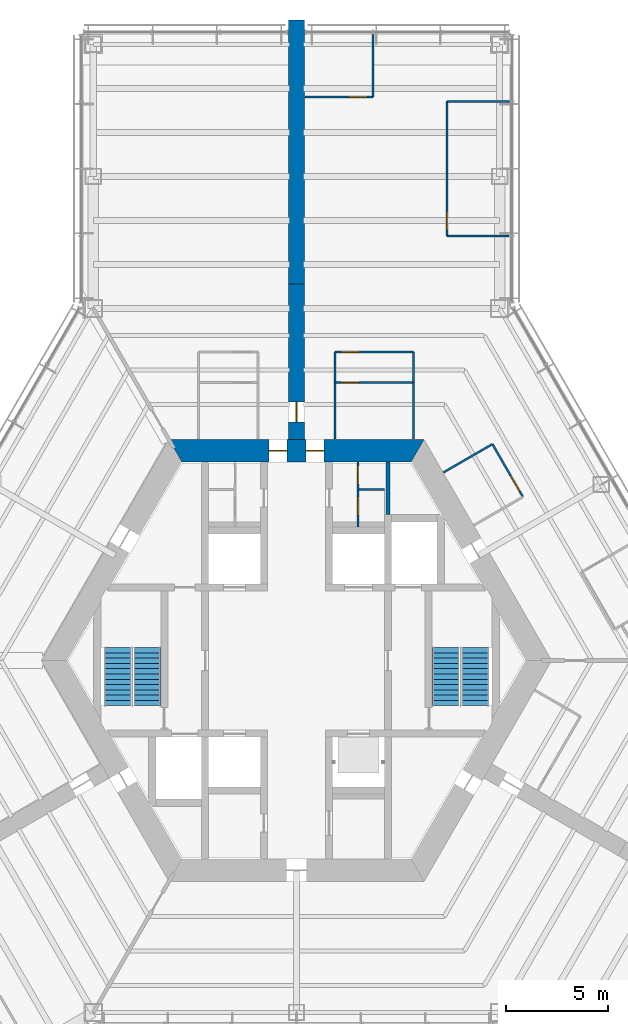
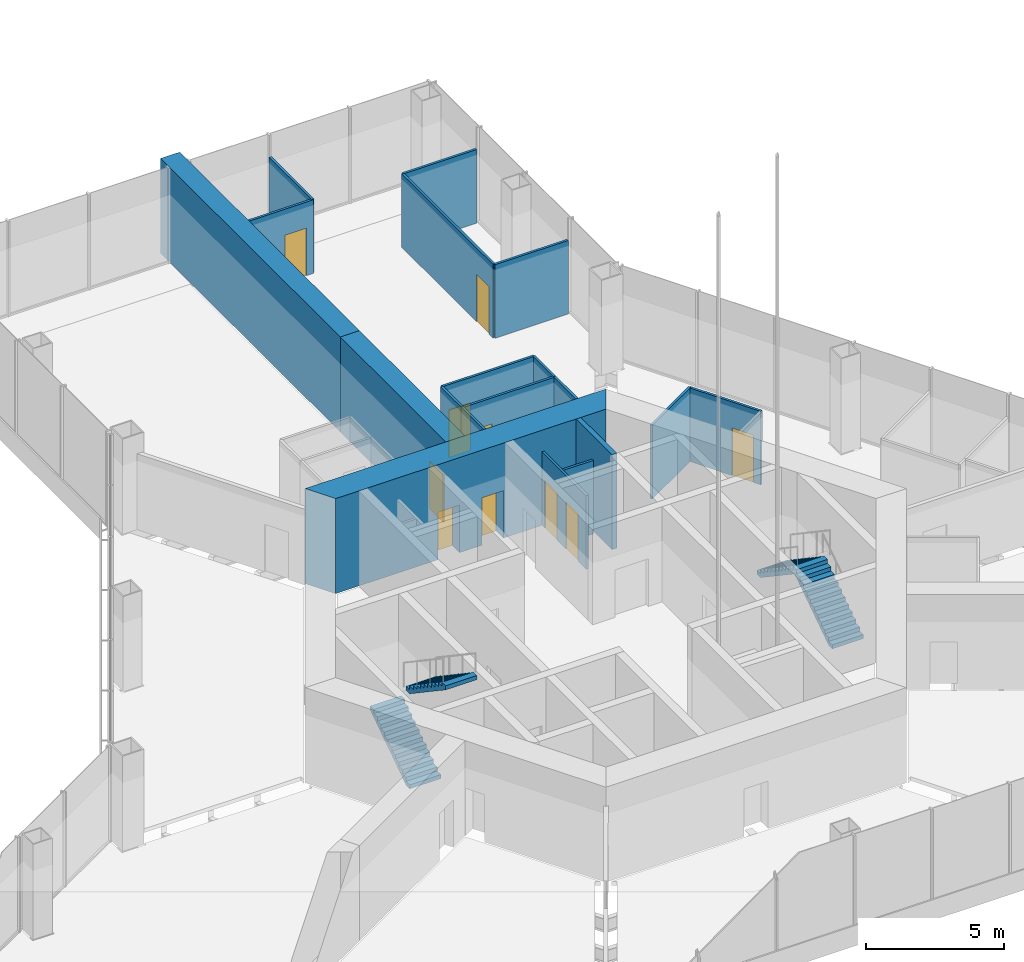
# One storey, part 13 of 18: 19 walls, 10 doors, 4 stair flights, 10 openings, 2 elements without a shape of their own.
"""IFC4 building model written with IfcOpenShell, lengths in metres."""

from ifc_helpers import new_model, si_unit, direction, frame, frame_2d, origin, place, context, subcontext, project, spatial, polyline, rectangle, outline, extrude, material, layer, layer_set, type_object, element, fill, aggregate, save


model = new_model("IFC4")

# Units and contexts
model_context = context("Model", 3, precision=1e-05, world=origin(), true_north=direction((0.0, 1.0)))
body_context = subcontext(model_context, "Body", "Model", "MODEL_VIEW")
ifc_project = project(units=[si_unit("LENGTHUNIT", "METRE"), si_unit("AREAUNIT", "SQUARE_METRE"), si_unit("VOLUMEUNIT", "CUBIC_METRE"), si_unit("PLANEANGLEUNIT", "RADIAN"), si_unit("MASSUNIT", "GRAM", prefix="KILO")], contexts=[model_context])

# Site, building, storey
site_placement = place(None, origin())
site = spatial("IfcSite", under=ifc_project, at=site_placement, CompositionType="ELEMENT")
building_placement = place(site_placement, origin())
building = spatial("IfcBuilding", under=site, at=building_placement, Name="Kasaneha Research Tower", CompositionType="ELEMENT")
storey_placement = place(building_placement, frame((0.0, 0.0, 57.0)))
storey = spatial("IfcBuildingStorey", under=building, at=storey_placement, Name="L14", CompositionType="ELEMENT", Elevation=57.0)

# Wall, openings, doors
ifc_material_1 = material(Name="Concrete Fc80", Category="concrete")
ifc_layer_1 = layer(ifc_material_1, 1.10009765625)
ifc_layer_set_1 = layer_set([ifc_layer_1], Name="Core wall 1100 Fc80")
wall_type_1 = type_object("IfcWallType", Name="Core wall 1100 Fc80", PredefinedType="SHEAR", material=ifc_layer_set_1)
wall_1_placement = place(storey_placement, frame((5.961181640625, 10.324951171875, 0.0), z_axis=(0.0, 0.0, 1.0), x_axis=(-1.0, 0.0, 0.0)))
wall_1 = element("IfcWall", 1, at=wall_1_placement, inside=storey, type_object=wall_type_1, Name="Core wall 090 L14", PredefinedType="SHEAR", context=body_context, shape_type="SweptSolid", body=[
    extrude(outline(polyline([(-0.317626953125, -0.550048828125), (4.5986328125, -0.550048828125), (5.49853515625, -0.550048828125), (6.423583984375, -0.550048828125), (7.323486328125, -0.550048828125), (12.239990234375, -0.550048828125), (11.604736328125, 0.550048828125), (7.323486328125, 0.550048828125), (6.423583984375, 0.550048828125), (5.49853515625, 0.550048828125), (4.5986328125, 0.550048828125), (0.317626953125, 0.550048828125), (-0.317626953125, -0.550048828125)])), origin(), (0.0, 0.0, 1.0), 4.199951171875),
])
opening_1_placement = place(wall_1_placement, frame((6.423583984375, 0.0, 0.0)))
opening_1 = element("IfcOpeningElement", 2, at=opening_1_placement, cuts=wall_1, Name="Opening L14-D01", PredefinedType="OPENING", context=body_context, shape_type="SweptSolid", body=[
    extrude(rectangle(XDim=0.89990234375, YDim=2.10009765625, at=frame_2d((0.449951171875, 1.050048828125))), frame((0.0, 0.56005859375, 0.0), z_axis=(0.0, -1.0, 0.0), x_axis=(1.0, 0.0, 0.0)), (0.0, 0.0, 1.0), 1.1201171875),
])
opening_2_placement = place(wall_1_placement, frame((4.5986328125, 0.0, 0.0)))
opening_2 = element("IfcOpeningElement", 3, at=opening_2_placement, cuts=wall_1, Name="Opening L14-D02", PredefinedType="OPENING", context=body_context, shape_type="SweptSolid", body=[
    extrude(rectangle(XDim=0.89990234375, YDim=2.10009765625, at=frame_2d((0.449951171875, 1.050048828125))), frame((0.0, 0.56005859375, 0.0), z_axis=(0.0, -1.0, 0.0), x_axis=(1.0, 0.0, 0.0)), (0.0, 0.0, 1.0), 1.1201171875),
])
ifc_material_2 = material(Name="Steel", Category="steel")
door_type_1 = type_object("IfcDoorType", Name="Toilet door FD20 900x2100", OperationType="NOTDEFINED", PredefinedType="DOOR", material=ifc_material_2)
door_1_placement = place(opening_1_placement, origin())
door_1 = element("IfcDoor", 4, at=door_1_placement, inside=storey, type_object=door_type_1, Name="Core door north 1 L14-D01", OperationType="SINGLE_SWING_RIGHT", OverallHeight=2.10009765625, OverallWidth=0.89990234375, PredefinedType="DOOR", context=body_context, shape_type="SweptSolid", body=[
    extrude(rectangle(XDim=0.89990234375, YDim=2.10009765625, at=frame_2d((0.449951171875, 1.050048828125))), frame((0.0, 0.02490234375, 0.0), z_axis=(0.0, -1.0, 0.0), x_axis=(1.0, 0.0, 0.0)), (0.0, 0.0, 1.0), 0.050048828125),
])
fill(opening_1, door_1)
door_2_placement = place(opening_2_placement, origin())
door_2 = element("IfcDoor", 5, at=door_2_placement, inside=storey, type_object=door_type_1, Name="Core door north 2 L14-D02", OperationType="SINGLE_SWING_LEFT", OverallHeight=2.10009765625, OverallWidth=0.89990234375, PredefinedType="DOOR", context=body_context, shape_type="SweptSolid", body=[
    extrude(rectangle(XDim=0.89990234375, YDim=2.10009765625, at=frame_2d((0.449951171875, 1.050048828125))), frame((0.0, 0.02490234375, 0.0), z_axis=(0.0, -1.0, 0.0), x_axis=(1.0, 0.0, 0.0)), (0.0, 0.0, 1.0), 0.050048828125),
])
fill(opening_2, door_2)

ifc_material_3 = material(Name="Gypsum board on steel studs, one layer each side", Category="steel")
ifc_layer_2 = layer(ifc_material_3, 0.10009765625)
ifc_layer_set_2 = layer_set([ifc_layer_2], Name="Office partition 100")
wall_type_2 = type_object("IfcWallType", Name="Office partition 100", PredefinedType="PARTITIONING", material=ifc_layer_set_2)
wall_2_placement = place(storey_placement, frame((3.02490234375, 6.574951171875, 0.0), z_axis=(0.0, 0.0, 1.0), x_axis=(0.0, 1.0, 0.0)))
wall_2 = element("IfcWall", 6, at=wall_2_placement, inside=storey, type_object=wall_type_2, Name="Office partition TBF1 L14", PredefinedType="PARTITIONING", context=body_context, shape_type="SweptSolid", body=[
    extrude(rectangle(XDim=3.199951171875, YDim=0.10009765625, at=frame_2d((1.60009765625, 0.0))), origin(), (0.0, 0.0, 1.0), 3.25),
])
opening_3_placement = place(wall_2_placement, frame((0.574951171875, 0.0, 0.0)))
opening_3 = element("IfcOpeningElement", 7, at=opening_3_placement, cuts=wall_2, Name="Opening L14-D22", PredefinedType="OPENING", context=body_context, shape_type="SweptSolid", body=[
    extrude(rectangle(XDim=0.89990234375, YDim=2.10009765625, at=frame_2d((0.449951171875, 1.050048828125))), frame((0.0, 0.06005859375, 0.0), z_axis=(0.0, -1.0, 0.0), x_axis=(1.0, 0.0, 0.0)), (0.0, 0.0, 1.0), 0.1201171875),
])
opening_4_placement = place(wall_2_placement, frame((2.10009765625, 0.0, 0.0)))
opening_4 = element("IfcOpeningElement", 8, at=opening_4_placement, cuts=wall_2, Name="Opening L14-D23", PredefinedType="OPENING", context=body_context, shape_type="SweptSolid", body=[
    extrude(rectangle(XDim=0.89990234375, YDim=2.10009765625, at=frame_2d((0.449951171875, 1.050048828125))), frame((0.0, 0.06005859375, 0.0), z_axis=(0.0, -1.0, 0.0), x_axis=(1.0, 0.0, 0.0)), (0.0, 0.0, 1.0), 0.1201171875),
])
ifc_material_4 = material(Name="Steel", Category="steel")
door_type_2 = type_object("IfcDoorType", Name="Toilet lobby door FD30 900x2100", OperationType="NOTDEFINED", PredefinedType="DOOR", material=ifc_material_4)
door_3_placement = place(opening_3_placement, origin())
door_3 = element("IfcDoor", 9, at=door_3_placement, inside=storey, type_object=door_type_2, Name="Women's WC door L14-D22", OperationType="SINGLE_SWING_RIGHT", OverallHeight=2.10009765625, OverallWidth=0.89990234375, PredefinedType="DOOR", context=body_context, shape_type="SweptSolid", body=[
    extrude(rectangle(XDim=0.89990234375, YDim=2.10009765625, at=frame_2d((0.449951171875, 1.050048828125))), frame((0.0, 0.02490234375, 0.0), z_axis=(0.0, -1.0, 0.0), x_axis=(1.0, 0.0, 0.0)), (0.0, 0.0, 1.0), 0.050048828125),
])
fill(opening_3, door_3)
door_4_placement = place(opening_4_placement, origin())
door_4 = element("IfcDoor", 10, at=door_4_placement, inside=storey, type_object=door_type_2, Name="Parents' room door L14-D23", OperationType="SINGLE_SWING_RIGHT", OverallHeight=2.10009765625, OverallWidth=0.89990234375, PredefinedType="DOOR", context=body_context, shape_type="SweptSolid", body=[
    extrude(rectangle(XDim=0.89990234375, YDim=2.10009765625, at=frame_2d((0.449951171875, 1.050048828125))), frame((0.0, 0.02490234375, 0.0), z_axis=(0.0, -1.0, 0.0), x_axis=(1.0, 0.0, 0.0)), (0.0, 0.0, 1.0), 0.050048828125),
])
fill(opening_4, door_4)

# Wall
wall_3_placement = place(storey_placement, frame((3.074951171875, 8.425048828125, 0.0), z_axis=(0.0, 0.0, 1.0), x_axis=(1.0, 0.0, 0.0)))
element("IfcWall", 11, at=wall_3_placement, inside=storey, type_object=wall_type_2, Name="Office partition TBF2 L14", PredefinedType="PARTITIONING", context=body_context, shape_type="SweptSolid", body=[
    extrude(rectangle(XDim=1.25, YDim=0.10009765625, at=frame_2d((0.625, 0.0))), origin(), (0.0, 0.0, 1.0), 3.25),
])

# Wall, opening, door
wall_4_placement = place(storey_placement, frame((1.89990234375, 13.669921875, 0.0), z_axis=(0.0, 0.0, 1.0), x_axis=(1.0, 0.0, 0.0)))
wall_4 = element("IfcWall", 12, at=wall_4_placement, inside=storey, type_object=wall_type_2, Name="Office partition FAE01 L14", PredefinedType="PARTITIONING", context=body_context, shape_type="SweptSolid", body=[
    extrude(rectangle(XDim=3.857177734375, YDim=0.10009765625, at=frame_2d((1.9287109375, 0.0))), origin(), (0.0, 0.0, 1.0), 3.25),
])
opening_5_placement = place(wall_4_placement, frame((0.300048828125, 0.0, 0.0)))
opening_5 = element("IfcOpeningElement", 13, at=opening_5_placement, cuts=wall_4, Name="Opening L14-D27", PredefinedType="OPENING", context=body_context, shape_type="SweptSolid", body=[
    extrude(rectangle(XDim=0.89990234375, YDim=2.10009765625, at=frame_2d((0.449951171875, 1.050048828125))), frame((0.0, 0.06005859375, 0.0), z_axis=(0.0, -1.0, 0.0), x_axis=(1.0, 0.0, 0.0)), (0.0, 0.0, 1.0), 0.1201171875),
])
door_5_placement = place(opening_5_placement, origin())
door_5 = element("IfcDoor", 14, at=door_5_placement, inside=storey, type_object=door_type_2, Name="Women's WC door L14-D27", OperationType="SINGLE_SWING_LEFT", OverallHeight=2.10009765625, OverallWidth=0.89990234375, PredefinedType="DOOR", context=body_context, shape_type="SweptSolid", body=[
    extrude(rectangle(XDim=0.89990234375, YDim=2.10009765625, at=frame_2d((0.449951171875, 1.050048828125))), frame((0.0, 0.02490234375, 0.0), z_axis=(0.0, -1.0, 0.0), x_axis=(1.0, 0.0, 0.0)), (0.0, 0.0, 1.0), 0.050048828125),
])
fill(opening_5, door_5)

# Walls
for number, where, z_axis, x_axis, name in (
    (15, (1.89990234375, 10.89501953125, 0.0), (0.0, 0.0, 1.0), (0.001668567099, 0.999998607941, 0.0), "Office partition FAE02 L14"),
    (16, (5.75244140625, 13.675048828125, 0.0), (0.0, 0.0, 1.0), (0.001668567099, -0.999998607941, 0.0), "Office partition FAE03 L14"),
):
    element("IfcWall", number, at=place(storey_placement, frame(where, z_axis=z_axis, x_axis=x_axis)), inside=storey, type_object=wall_type_2, Name=name, PredefinedType="PARTITIONING", context=body_context, shape_type="SweptSolid", body=[
        extrude(rectangle(XDim=2.780029296875, YDim=0.10009765625, at=frame_2d((1.39013671875, 0.0))), origin(), (0.0, 0.0, 1.0), 3.25),
    ])

# Wall, opening, door
wall_5_placement = place(storey_placement, frame((1.89990234375, 15.175048828125, 0.0), z_axis=(0.0, 0.0, 1.0), x_axis=(1.0, 0.0, 0.0)))
wall_5 = element("IfcWall", 17, at=wall_5_placement, inside=storey, type_object=wall_type_2, Name="Office partition FAE04 L14", PredefinedType="PARTITIONING", context=body_context, shape_type="SweptSolid", body=[
    extrude(rectangle(XDim=3.857177734375, YDim=0.10009765625, at=frame_2d((1.9287109375, 0.0))), origin(), (0.0, 0.0, 1.0), 3.25),
])
opening_6_placement = place(wall_5_placement, frame((0.300048828125, 0.0, 0.0)))
opening_6 = element("IfcOpeningElement", 18, at=opening_6_placement, cuts=wall_5, Name="Opening L14-D28", PredefinedType="OPENING", context=body_context, shape_type="SweptSolid", body=[
    extrude(rectangle(XDim=0.89990234375, YDim=2.10009765625, at=frame_2d((0.449951171875, 1.050048828125))), frame((0.0, 0.06005859375, 0.0), z_axis=(0.0, -1.0, 0.0), x_axis=(1.0, 0.0, 0.0)), (0.0, 0.0, 1.0), 0.1201171875),
])
door_6_placement = place(opening_6_placement, origin())
door_6 = element("IfcDoor", 19, at=door_6_placement, inside=storey, type_object=door_type_2, Name="Toilet lobby door L14-D28", OperationType="SINGLE_SWING_LEFT", OverallHeight=2.10009765625, OverallWidth=0.89990234375, PredefinedType="DOOR", context=body_context, shape_type="SweptSolid", body=[
    extrude(rectangle(XDim=0.89990234375, YDim=2.10009765625, at=frame_2d((0.449951171875, 1.050048828125))), frame((0.0, 0.02490234375, 0.0), z_axis=(0.0, -1.0, 0.0), x_axis=(1.0, 0.0, 0.0)), (0.0, 0.0, 1.0), 0.050048828125),
])
fill(opening_6, door_6)

# Walls
for number, where, z_axis, x_axis, name in (
    (20, (1.904541015625, 13.675048828125, 0.0), (0.0, 0.0, 1.0), (-0.00309243313, 0.999995218417, 0.0), "Office partition FAE05 L14"),
    (21, (5.757080078125, 15.175048828125, 0.0), (0.0, 0.0, 1.0), (-0.00309243313, -0.999995218417, 0.0), "Office partition FAE06 L14"),
):
    element("IfcWall", number, at=place(storey_placement, frame(where, z_axis=z_axis, x_axis=x_axis)), inside=storey, type_object=wall_type_2, Name=name, PredefinedType="PARTITIONING", context=body_context, shape_type="SweptSolid", body=[
        extrude(rectangle(XDim=1.5, YDim=0.10009765625, at=frame_2d((0.75, 0.0))), origin(), (0.0, 0.0, 1.0), 3.25),
    ])
wall_6_placement = place(storey_placement, frame((7.2353515625, 9.258056640625, 0.0), z_axis=(0.0, 0.0, 1.0), x_axis=(0.86603494908, 0.499983466698, 0.0)))
element("IfcWall", 22, at=wall_6_placement, inside=storey, type_object=wall_type_2, Name="Office partition FAE07 L14", PredefinedType="PARTITIONING", context=body_context, shape_type="SweptSolid", body=[
    extrude(rectangle(XDim=2.77978515625, YDim=0.10009765625, at=frame_2d((1.389892578125, 0.0))), origin(), (0.0, 0.0, 1.0), 3.25),
])

# Wall, opening, door
wall_7_placement = place(storey_placement, frame((9.642822265625, 10.64794921875, 0.0), z_axis=(0.0, 0.0, 1.0), x_axis=(0.499990139034, -0.866031096941, 0.0)))
wall_7 = element("IfcWall", 23, at=wall_7_placement, inside=storey, type_object=wall_type_2, Name="Office partition FAE08 L14", PredefinedType="PARTITIONING", context=body_context, shape_type="SweptSolid", body=[
    extrude(rectangle(XDim=3.0, YDim=0.10009765625, at=frame_2d((1.5, 0.0))), origin(), (0.0, 0.0, 1.0), 3.25),
])
opening_7_placement = place(wall_7_placement, frame((1.800048828125, 0.0, 0.0)))
opening_7 = element("IfcOpeningElement", 24, at=opening_7_placement, cuts=wall_7, Name="Opening L14-D29", PredefinedType="OPENING", context=body_context, shape_type="SweptSolid", body=[
    extrude(rectangle(XDim=0.89990234375, YDim=2.10009765625, at=frame_2d((0.449951171875, 1.050048828125))), frame((0.0, 0.06005859375, 0.0), z_axis=(0.0, -1.0, 0.0), x_axis=(1.0, 0.0, 0.0)), (0.0, 0.0, 1.0), 0.1201171875),
])
ifc_material_5 = material(Name="Timber veneer", Category="wood")
door_type_3 = type_object("IfcDoorType", Name="Office door 900x2100", OperationType="SINGLE_SWING_LEFT", PredefinedType="DOOR", material=ifc_material_5)
door_7_placement = place(opening_7_placement, origin())
door_7 = element("IfcDoor", 25, at=door_7_placement, inside=storey, type_object=door_type_3, Name="Pantry door L14-D29", OperationType="SINGLE_SWING_RIGHT", OverallHeight=2.10009765625, OverallWidth=0.89990234375, PredefinedType="DOOR", context=body_context, shape_type="SweptSolid", body=[
    extrude(rectangle(XDim=0.89990234375, YDim=2.10009765625, at=frame_2d((0.449951171875, 1.050048828125))), frame((0.0, 0.02490234375, 0.0), z_axis=(0.0, -1.0, 0.0), x_axis=(1.0, 0.0, 0.0)), (0.0, 0.0, 1.0), 0.050048828125),
])
fill(opening_7, door_7)

wall_8_placement = place(storey_placement, frame((7.39990234375, 20.89111328125, 0.0), z_axis=(0.0, 0.0, 1.0), x_axis=(0.0, 1.0, 0.0)))
wall_8 = element("IfcWall", 26, at=wall_8_placement, inside=storey, type_object=wall_type_2, Name="Office partition FAE15 L14", PredefinedType="PARTITIONING", context=body_context, shape_type="SweptSolid", body=[
    extrude(rectangle(XDim=6.61962890625, YDim=0.10009765625, at=frame_2d((3.309814453125, 0.0))), origin(), (0.0, 0.0, 1.0), 3.25),
])
opening_8_placement = place(wall_8_placement, frame((0.300048828125, 0.0, 0.0)))
opening_8 = element("IfcOpeningElement", 27, at=opening_8_placement, cuts=wall_8, Name="Opening L14-D32", PredefinedType="OPENING", context=body_context, shape_type="SweptSolid", body=[
    extrude(rectangle(XDim=0.89990234375, YDim=2.10009765625, at=frame_2d((0.449951171875, 1.050048828125))), frame((0.0, 0.06005859375, 0.0), z_axis=(0.0, -1.0, 0.0), x_axis=(1.0, 0.0, 0.0)), (0.0, 0.0, 1.0), 0.1201171875),
])
door_8_placement = place(opening_8_placement, origin())
door_8 = element("IfcDoor", 28, at=door_8_placement, inside=storey, type_object=door_type_3, Name="Phone room door L14-D32", OperationType="SINGLE_SWING_LEFT", OverallHeight=2.10009765625, OverallWidth=0.89990234375, PredefinedType="DOOR", context=body_context, shape_type="SweptSolid", body=[
    extrude(rectangle(XDim=0.89990234375, YDim=2.10009765625, at=frame_2d((0.449951171875, 1.050048828125))), frame((0.0, 0.02490234375, 0.0), z_axis=(0.0, -1.0, 0.0), x_axis=(1.0, 0.0, 0.0)), (0.0, 0.0, 1.0), 0.050048828125),
])
fill(opening_8, door_8)

# Walls
for number, where, z_axis, x_axis, name in (
    (29, (7.39990234375, 27.5107421875, 0.0), (0.0, 0.0, 1.0), (1.0, 0.0, 0.0), "Office partition FAE16 L14"),
    (30, (10.469970703125, 20.89111328125, 0.0), (0.0, 0.0, 1.0), (-1.0, 0.0, 0.0), "Office partition FAE17 L14"),
):
    element("IfcWall", number, at=place(storey_placement, frame(where, z_axis=z_axis, x_axis=x_axis)), inside=storey, type_object=wall_type_2, Name=name, PredefinedType="PARTITIONING", context=body_context, shape_type="SweptSolid", body=[
        extrude(rectangle(XDim=3.070068359375, YDim=0.10009765625, at=frame_2d((1.53515625, 0.0))), origin(), (0.0, 0.0, 1.0), 3.25),
    ])

# Wall, opening, door
wall_9_placement = place(storey_placement, frame((3.7666015625, 27.720458984375, 0.0), z_axis=(0.0, 0.0, 1.0), x_axis=(-1.0, 0.0, 0.0)))
wall_9 = element("IfcWall", 31, at=wall_9_placement, inside=storey, type_object=wall_type_2, Name="Office partition FAE18 L14", PredefinedType="PARTITIONING", context=body_context, shape_type="SweptSolid", body=[
    extrude(rectangle(XDim=3.3466796875, YDim=0.10009765625, at=frame_2d((1.67333984375, 0.0))), origin(), (0.0, 0.0, 1.0), 3.25),
])
opening_9_placement = place(wall_9_placement, frame((0.300048828125, 0.0, 0.0)))
opening_9 = element("IfcOpeningElement", 32, at=opening_9_placement, cuts=wall_9, Name="Opening L14-D33", PredefinedType="OPENING", context=body_context, shape_type="SweptSolid", body=[
    extrude(rectangle(XDim=0.89990234375, YDim=2.10009765625, at=frame_2d((0.449951171875, 1.050048828125))), frame((0.0, 0.06005859375, 0.0), z_axis=(0.0, -1.0, 0.0), x_axis=(1.0, 0.0, 0.0)), (0.0, 0.0, 1.0), 0.1201171875),
])
door_9_placement = place(opening_9_placement, origin())
door_9 = element("IfcDoor", 33, at=door_9_placement, inside=storey, type_object=door_type_3, Name="Workroom door L14-D33", OperationType="SINGLE_SWING_LEFT", OverallHeight=2.10009765625, OverallWidth=0.89990234375, PredefinedType="DOOR", context=body_context, shape_type="SweptSolid", body=[
    extrude(rectangle(XDim=0.89990234375, YDim=2.10009765625, at=frame_2d((0.449951171875, 1.050048828125))), frame((0.0, 0.02490234375, 0.0), z_axis=(0.0, -1.0, 0.0), x_axis=(1.0, 0.0, 0.0)), (0.0, 0.0, 1.0), 0.050048828125),
])
fill(opening_9, door_9)

# Walls
wall_10_placement = place(storey_placement, frame((3.7666015625, 30.800537109375, 0.0), z_axis=(0.0, 0.0, 1.0), x_axis=(0.0, -1.0, 0.0)))
element("IfcWall", 34, at=wall_10_placement, inside=storey, type_object=wall_type_2, Name="Office partition FAE19 L14", PredefinedType="PARTITIONING", context=body_context, shape_type="SweptSolid", body=[
    extrude(rectangle(XDim=3.080078125, YDim=0.10009765625, at=frame_2d((1.5400390625, 0.0))), origin(), (0.0, 0.0, 1.0), 3.25),
])
ifc_material_6 = material(Name="Concrete block", Category="concrete")
ifc_layer_3 = layer(ifc_material_6, 0.199951171875)
ifc_layer_set_3 = layer_set([ifc_layer_3], Name="Riser enclosure wall 200")
wall_type_3 = type_object("IfcWallType", Name="Riser enclosure wall 200", PredefinedType="STANDARD", material=ifc_layer_set_3)
wall_11_placement = place(storey_placement, frame((4.5, 7.175048828125, 0.0), z_axis=(0.0, 0.0, 1.0), x_axis=(0.0, 1.0, 0.0)))
element("IfcWall", 35, at=wall_11_placement, inside=storey, type_object=wall_type_3, Name="Riser enclosure wall L14", PredefinedType="STANDARD", context=body_context, shape_type="SweptSolid", body=[
    extrude(rectangle(XDim=2.599853515625, YDim=0.199951171875, at=frame_2d((1.2998046875, 0.0))), origin(), (0.0, 0.0, 1.0), 4.199951171875),
])

# Wall, opening, door
ifc_material_7 = material(Name="Concrete Fc80", Category="concrete")
ifc_layer_4 = layer(ifc_material_7, 0.800048828125)
ifc_layer_set_4 = layer_set([ifc_layer_4], Name="Spine wall 800 Fc80")
wall_type_4 = type_object("IfcWallType", Name="Spine wall 800 Fc80", PredefinedType="SHEAR", material=ifc_layer_set_4)
wall_12_placement = place(storey_placement, frame((0.0, 10.875, 0.0), z_axis=(0.0, 0.0, 1.0), x_axis=(0.0, 1.0, 0.0)))
wall_12 = element("IfcWall", 36, at=wall_12_placement, inside=storey, type_object=wall_type_4, Name="Spine wall A L14", PredefinedType="SHEAR", context=body_context, shape_type="SweptSolid", body=[
    extrude(rectangle(XDim=7.6455078125, YDim=0.800048828125, at=frame_2d((3.82275390625, 0.0))), origin(), (0.0, 0.0, 1.0), 4.199951171875),
])
opening_10_placement = place(wall_12_placement, frame((0.85009765625, 0.0, 0.0)))
opening_10 = element("IfcOpeningElement", 37, at=opening_10_placement, cuts=wall_12, Name="Opening L14-D17", PredefinedType="OPENING", context=body_context, shape_type="SweptSolid", body=[
    extrude(rectangle(XDim=1.0, YDim=2.10009765625, at=frame_2d((0.5, 1.050048828125))), frame((0.0, 0.41015625, 0.0), z_axis=(0.0, -1.0, 0.0), x_axis=(1.0, 0.0, 0.0)), (0.0, 0.0, 1.0), 0.820068359375),
])
ifc_material_8 = material(Name="Steel", Category="steel")
door_type_4 = type_object("IfcDoorType", Name="Specified fire door FD60 1000x2100", OperationType="NOTDEFINED", PredefinedType="DOOR", material=ifc_material_8)
door_10_placement = place(opening_10_placement, origin())
door_10 = element("IfcDoor", 38, at=door_10_placement, inside=storey, type_object=door_type_4, Name="Spine doorway A L14-D17", OperationType="SINGLE_SWING_LEFT", OverallHeight=2.10009765625, OverallWidth=1.0, PredefinedType="DOOR", context=body_context, shape_type="SweptSolid", body=[
    extrude(rectangle(XDim=1.0, YDim=2.10009765625, at=frame_2d((0.5, 1.050048828125))), frame((0.0, 0.02490234375, 0.0), z_axis=(0.0, -1.0, 0.0), x_axis=(1.0, 0.0, 0.0)), (0.0, 0.0, 1.0), 0.050048828125),
])
fill(opening_10, door_10)

# Wall
wall_13_placement = place(storey_placement, frame((0.0, 18.5205078125, 0.0), z_axis=(0.0, 0.0, 1.0), x_axis=(0.0, 1.0, 0.0)))
element("IfcWall", 39, at=wall_13_placement, inside=storey, type_object=wall_type_4, Name="Spine wall A wing L14", PredefinedType="SHEAR", context=body_context, shape_type="SweptSolid", body=[
    extrude(rectangle(XDim=13.0, YDim=0.800048828125, at=frame_2d((6.5, 0.0))), origin(), (0.0, 0.0, 1.0), 4.199951171875),
])

# Stair, stair flights
ifc_material_9 = material(Name="Concrete Fc24", Category="concrete")
stair_type = type_object("IfcStairType", Name="Half-turn stair 24 risers", PredefinedType="HALF_TURN_STAIR", material=ifc_material_9)
stair_1_placement = place(storey_placement, origin())
stair_1 = element("IfcStair", 40, at=stair_1_placement, inside=storey, type_object=stair_type, Name="Stair 1 L14", PredefinedType="HALF_TURN_STAIR")
ifc_material_10 = material(Name="Concrete Fc24", Category="concrete")
stair_flight_type = type_object("IfcStairFlightType", Name="Stair flight 12 risers 175.0", PredefinedType="STRAIGHT", material=ifc_material_10)
stair_flight_1_placement = place(storey_placement, frame((8.824951171875, -2.22509765625, 0.0), z_axis=(0.0, 0.0, 1.0), x_axis=(0.0, 1.0, 0.0)))
stair_flight_1 = element("IfcStairFlight", 41, at=stair_flight_1_placement, type_object=stair_flight_type, Name="ST1-24R flight 1", NumberOfRisers=12, NumberOfTreads=11, PredefinedType="STRAIGHT", RiserHeight=0.175, TreadLength=0.26, context=body_context, shape_type="SweptSolid", body=[
    extrude(outline(polyline([(0.0, 0.0), (0.0, 0.175048828125), (0.260009765625, 0.175048828125), (0.260009765625, 0.35009765625), (0.52001953125, 0.35009765625), (0.52001953125, 0.52490234375), (0.780029296875, 0.52490234375), (0.780029296875, 0.699951171875), (1.0400390625, 0.699951171875), (1.0400390625, 0.875), (1.300048828125, 0.875), (1.300048828125, 1.050048828125), (1.56005859375, 1.050048828125), (1.56005859375, 1.22509765625), (1.820068359375, 1.22509765625), (1.820068359375, 1.39990234375), (2.080078125, 1.39990234375), (2.080078125, 1.574951171875), (2.340087890625, 1.574951171875), (2.340087890625, 1.75), (2.60009765625, 1.75), (2.60009765625, 1.925048828125), (2.860107421875, 1.925048828125), (2.860107421875, 2.10009765625), (2.860107421875, 1.744384765625), (0.2685546875, 0.0), (0.0, 0.0)])), frame((0.0, 0.64990234375, 0.0), z_axis=(0.0, -1.0, 0.0), x_axis=(1.0, 0.0, 0.0)), (0.0, 0.0, 1.0), 1.300048828125),
])
stair_flight_2_placement = place(storey_placement, frame((7.324951171875, 0.635009765625, 2.10009765625), z_axis=(0.0, 0.0, 1.0), x_axis=(0.0, -1.0, 0.0)))
stair_flight_2 = element("IfcStairFlight", 42, at=stair_flight_2_placement, type_object=stair_flight_type, Name="ST1-24R flight 2", NumberOfRisers=12, NumberOfTreads=11, PredefinedType="STRAIGHT", RiserHeight=0.175, TreadLength=0.26, context=body_context, shape_type="SweptSolid", body=[
    extrude(outline(polyline([(0.0, 0.0), (0.0, 0.175048828125), (0.260009765625, 0.175048828125), (0.260009765625, 0.35009765625), (0.52001953125, 0.35009765625), (0.52001953125, 0.52490234375), (0.780029296875, 0.52490234375), (0.780029296875, 0.699951171875), (1.0400390625, 0.699951171875), (1.0400390625, 0.875), (1.300048828125, 0.875), (1.300048828125, 1.050048828125), (1.56005859375, 1.050048828125), (1.56005859375, 1.22509765625), (1.820068359375, 1.22509765625), (1.820068359375, 1.39990234375), (2.080078125, 1.39990234375), (2.080078125, 1.574951171875), (2.340087890625, 1.574951171875), (2.340087890625, 1.75), (2.60009765625, 1.75), (2.60009765625, 1.925048828125), (2.860107421875, 1.925048828125), (2.860107421875, 2.10009765625), (2.860107421875, 1.744384765625), (0.2685546875, 0.0), (0.0, 0.0)])), frame((0.0, 0.64990234375, 0.0), z_axis=(0.0, -1.0, 0.0), x_axis=(1.0, 0.0, 0.0)), (0.0, 0.0, 1.0), 1.300048828125),
])
aggregate(stair_1, [stair_flight_1, stair_flight_2])

stair_2_placement = place(storey_placement, origin())
stair_2 = element("IfcStair", 43, at=stair_2_placement, inside=storey, type_object=stair_type, Name="Stair 2 L14", PredefinedType="HALF_TURN_STAIR")
stair_flight_3_placement = place(storey_placement, frame((-8.824951171875, -2.22509765625, 0.0), z_axis=(0.0, 0.0, 1.0), x_axis=(0.0, 1.0, 0.0)))
stair_flight_3 = element("IfcStairFlight", 44, at=stair_flight_3_placement, type_object=stair_flight_type, Name="ST2-24R flight 1", NumberOfRisers=12, NumberOfTreads=11, PredefinedType="STRAIGHT", RiserHeight=0.175, TreadLength=0.26, context=body_context, shape_type="SweptSolid", body=[
    extrude(outline(polyline([(0.0, 0.0), (0.0, 0.175048828125), (0.260009765625, 0.175048828125), (0.260009765625, 0.35009765625), (0.52001953125, 0.35009765625), (0.52001953125, 0.52490234375), (0.780029296875, 0.52490234375), (0.780029296875, 0.699951171875), (1.0400390625, 0.699951171875), (1.0400390625, 0.875), (1.300048828125, 0.875), (1.300048828125, 1.050048828125), (1.56005859375, 1.050048828125), (1.56005859375, 1.22509765625), (1.820068359375, 1.22509765625), (1.820068359375, 1.39990234375), (2.080078125, 1.39990234375), (2.080078125, 1.574951171875), (2.340087890625, 1.574951171875), (2.340087890625, 1.75), (2.60009765625, 1.75), (2.60009765625, 1.925048828125), (2.860107421875, 1.925048828125), (2.860107421875, 2.10009765625), (2.860107421875, 1.744384765625), (0.2685546875, 0.0), (0.0, 0.0)])), frame((0.0, 0.64990234375, 0.0), z_axis=(0.0, -1.0, 0.0), x_axis=(1.0, 0.0, 0.0)), (0.0, 0.0, 1.0), 1.300048828125),
])
stair_flight_4_placement = place(storey_placement, frame((-7.324951171875, 0.635009765625, 2.10009765625), z_axis=(0.0, 0.0, 1.0), x_axis=(0.0, -1.0, 0.0)))
stair_flight_4 = element("IfcStairFlight", 45, at=stair_flight_4_placement, type_object=stair_flight_type, Name="ST2-24R flight 2", NumberOfRisers=12, NumberOfTreads=11, PredefinedType="STRAIGHT", RiserHeight=0.175, TreadLength=0.26, context=body_context, shape_type="SweptSolid", body=[
    extrude(outline(polyline([(0.0, 0.0), (0.0, 0.175048828125), (0.260009765625, 0.175048828125), (0.260009765625, 0.35009765625), (0.52001953125, 0.35009765625), (0.52001953125, 0.52490234375), (0.780029296875, 0.52490234375), (0.780029296875, 0.699951171875), (1.0400390625, 0.699951171875), (1.0400390625, 0.875), (1.300048828125, 0.875), (1.300048828125, 1.050048828125), (1.56005859375, 1.050048828125), (1.56005859375, 1.22509765625), (1.820068359375, 1.22509765625), (1.820068359375, 1.39990234375), (2.080078125, 1.39990234375), (2.080078125, 1.574951171875), (2.340087890625, 1.574951171875), (2.340087890625, 1.75), (2.60009765625, 1.75), (2.60009765625, 1.925048828125), (2.860107421875, 1.925048828125), (2.860107421875, 2.10009765625), (2.860107421875, 1.744384765625), (0.2685546875, 0.0), (0.0, 0.0)])), frame((0.0, 0.64990234375, 0.0), z_axis=(0.0, -1.0, 0.0), x_axis=(1.0, 0.0, 0.0)), (0.0, 0.0, 1.0), 1.300048828125),
])
aggregate(stair_2, [stair_flight_3, stair_flight_4])

save(model, "model.ifc")
